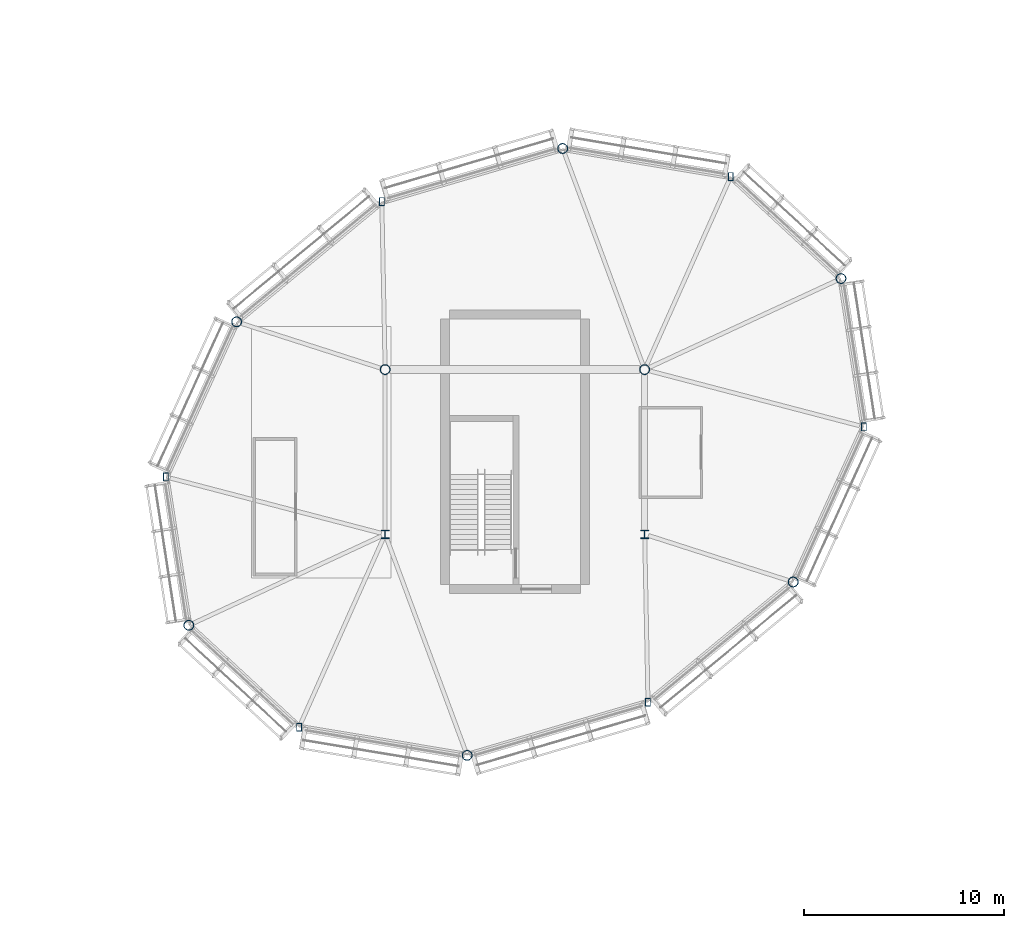
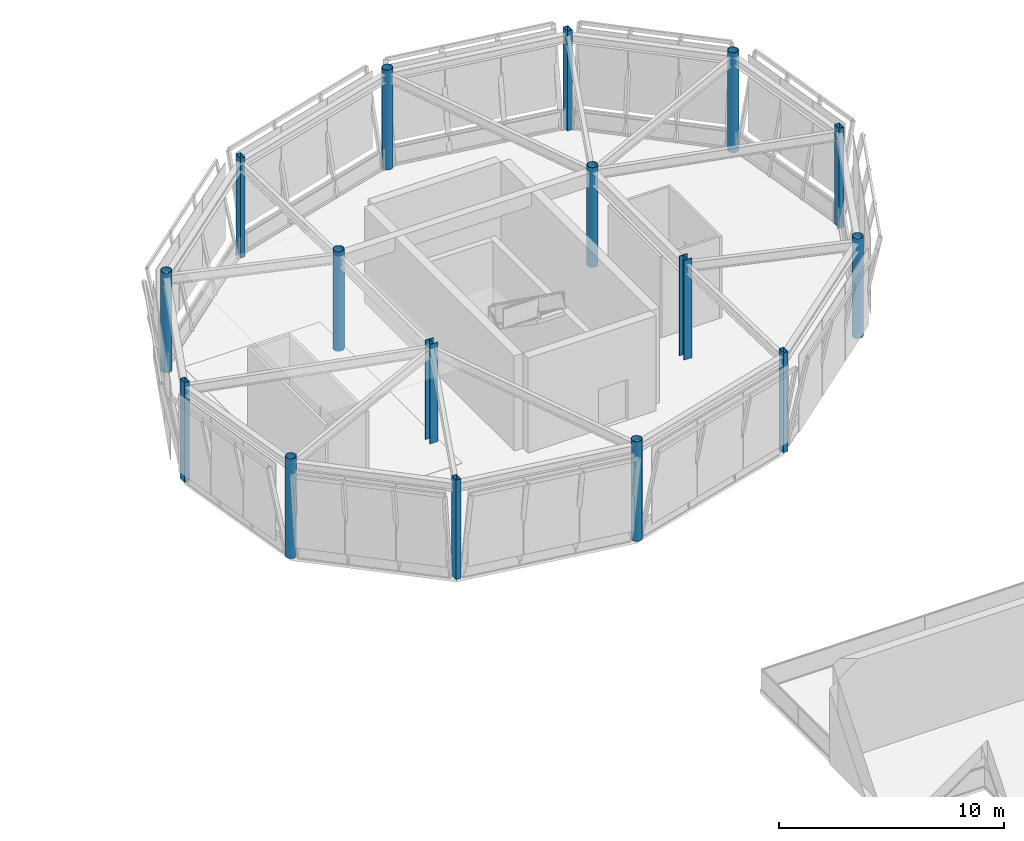
# One storey, part 11 of 90: 16 columns.
"""IFC4 building model written with IfcOpenShell, lengths in metres."""

import ifcopenshell
import ifcopenshell.guid

model = None  # the IFC model being written
_history = None  # IfcOwnerHistory: only IFC2X3 demands one
_inside = {}  # id of a spatial element -> (the spatial element, [elements in it])
_under = {}  # id of a project, library or spatial element -> (it, [spatial elements below it])
_declared = {}  # id of a project -> (the project, [libraries it declares])
_typed = {}  # id of a type object -> (the type object, [elements of that type])
_made_of = {}  # id of a material, layer set ... -> (it, [elements and type objects made of it])


def new_model(schema):
    """Start an empty IFC model of exactly this schema.

    Asked for "IFC4X3", IfcOpenShell would pick the latest addendum, in which some entities
    have other attributes; the version numbers below select the first issue.
    IFC2X3 requires an IfcOwnerHistory on every rooted entity: one is made here for all.
    """
    global model, _history
    if schema == "IFC4X3":
        model = ifcopenshell.file(schema_version=(4, 3, 0, 0))
    else:
        model = ifcopenshell.file(schema=schema)
    _inside.clear()
    _under.clear()
    _declared.clear()
    _typed.clear()
    _made_of.clear()
    _history = None
    if model.schema == "IFC2X3":
        org = make("IfcOrganization", Name="unknown")
        user = make(
            "IfcPersonAndOrganization",
            ThePerson=make("IfcPerson", FamilyName="unknown"),
            TheOrganization=org,
        )
        app = make(
            "IfcApplication",
            ApplicationDeveloper=org,
            Version="unknown",
            ApplicationFullName="unknown",
            ApplicationIdentifier="unknown",
        )
        _history = make(
            "IfcOwnerHistory",
            OwningUser=user,
            OwningApplication=app,
            ChangeAction="ADDED",
            CreationDate=0,
        )
    return model


def make(cls, **values):
    """One entity of the class cls with the attributes given. An attribute that is None is left unset."""
    return model.create_entity(
        cls, **{name: value for name, value in values.items() if value is not None}
    )


def rooted(cls, **values):
    """An entity with a GlobalId (a new one), such as an element, a storey or a relation."""
    return make(cls, GlobalId=ifcopenshell.guid.new(), OwnerHistory=_history, **values)


def si_unit(unit_type, name, prefix=None):
    """IfcSIUnit, for example si_unit("LENGTHUNIT", "METRE", prefix="MILLI")."""
    return make("IfcSIUnit", UnitType=unit_type, Prefix=prefix, Name=name)


def assignment(units):
    """IfcUnitAssignment: the units of a project."""
    return None if units is None else make("IfcUnitAssignment", Units=units)


def point(xyz):
    """IfcCartesianPoint."""
    return None if xyz is None else make("IfcCartesianPoint", Coordinates=xyz)


def direction(xyz):
    """IfcDirection."""
    return None if xyz is None else make("IfcDirection", DirectionRatios=xyz)


def frame(location, z_axis=None, x_axis=None):
    """IfcAxis2Placement3D, a coordinate frame: its origin and axes. An axis left out is left unset."""
    return make(
        "IfcAxis2Placement3D",
        Location=point(location),
        Axis=direction(z_axis),
        RefDirection=direction(x_axis),
    )


def frame_2d(location, x_axis=None):
    """IfcAxis2Placement2D, a coordinate frame in the plane: its origin and x axis."""
    return make(
        "IfcAxis2Placement2D", Location=point(location), RefDirection=direction(x_axis)
    )


def origin():
    """The frame at (0, 0, 0) with its axes left unset."""
    return frame((0.0, 0.0, 0.0))


def origin_2d():
    """The frame at (0, 0) in the plane with its x axis left unset."""
    return frame_2d((0.0, 0.0))


def place(relative_to, where):
    """IfcLocalPlacement: puts the frame where relative to a parent placement (None: the world)."""
    return make(
        "IfcLocalPlacement", PlacementRelTo=relative_to, RelativePlacement=where
    )


def context(
    kind, dimensions, precision=None, world=None, true_north=None, identifier=None
):
    """IfcGeometricRepresentationContext, for example the 3D "Model" context."""
    return make(
        "IfcGeometricRepresentationContext",
        ContextIdentifier=identifier,
        ContextType=kind,
        CoordinateSpaceDimension=dimensions,
        Precision=precision,
        WorldCoordinateSystem=world,
        TrueNorth=true_north,
    )


def subcontext(parent, identifier, kind, view, scale=None):
    """IfcGeometricRepresentationSubContext, for example "Body" below "Model"."""
    return make(
        "IfcGeometricRepresentationSubContext",
        ContextIdentifier=identifier,
        ContextType=kind,
        ParentContext=parent,
        TargetScale=scale,
        TargetView=view,
    )


def project(units=None, contexts=None):
    """IfcProject with its units and contexts."""
    return rooted(
        "IfcProject",
        Name="project",
        RepresentationContexts=contexts,
        UnitsInContext=assignment(units),
    )


def spatial(cls, under=None, at=None, **own):
    """A site, building, storey or space (cls), placed at a placement, below another one or the project."""
    s = rooted(cls, ObjectPlacement=at, **own)
    if under is not None:
        _under.setdefault(under.id(), (under, []))[1].append(s)
    return s


def profile(cls, at=None, kind="AREA", **sizes):
    """A parametric profile (cls). Its sizes go by their IFC names, for example OverallWidth=200.0."""
    return make(cls, ProfileType=kind, Position=at, **sizes)


def hollow_rectangle(**sizes):
    """IfcRectangleHollowProfileDef."""
    return profile("IfcRectangleHollowProfileDef", **sizes)


def hollow_circle(**sizes):
    """IfcCircleHollowProfileDef."""
    return profile("IfcCircleHollowProfileDef", **sizes)


def i_section(**sizes):
    """IfcIShapeProfileDef."""
    return profile("IfcIShapeProfileDef", **sizes)


def extrude(swept, where, along, depth):
    """IfcExtrudedAreaSolid: the profile swept, set in the frame where, extruded along a direction by depth."""
    return make(
        "IfcExtrudedAreaSolid",
        SweptArea=swept,
        Position=where,
        ExtrudedDirection=direction(along),
        Depth=depth,
    )


def shape(context_of_items, identifier, shape_type, items):
    """IfcShapeRepresentation: the items that make up one representation, for example the "Body"."""
    return make(
        "IfcShapeRepresentation",
        ContextOfItems=context_of_items,
        RepresentationIdentifier=identifier,
        RepresentationType=shape_type,
        Items=items,
    )


def material(Name=None, Category=None):
    """IfcMaterial."""
    return make("IfcMaterial", Name=Name, Category=Category)


def material_profile(
    of_material, cross_section, Name=None, Category=None, Priority=None
):
    """IfcMaterialProfile: a cross section and its material."""
    return make(
        "IfcMaterialProfile",
        Name=Name,
        Material=of_material,
        Profile=cross_section,
        Priority=Priority,
        Category=Category,
    )


def profile_set(profiles, Name=None, composite=None):
    """IfcMaterialProfileSet."""
    return make(
        "IfcMaterialProfileSet",
        Name=Name,
        MaterialProfiles=profiles,
        CompositeProfile=composite,
    )


def made_of(thing, what):
    """Note that an element or type object is made of a material, layer set ...; save() writes the relation."""
    if what is not None:
        _made_of.setdefault(what.id(), (what, []))[1].append(thing)
    return thing


def type_object(cls, material=None, **own):
    """A type object (cls), such as IfcWallType, which elements share."""
    return made_of(rooted(cls, **own), material)


def element(
    cls,
    number,
    at=None,
    inside=None,
    cuts=None,
    type_object=None,
    material=None,
    context=None,
    identifier="Body",
    shape_type=None,
    held_by="IfcProductDefinitionShape",
    body=None,
    shapes=None,
    **own,
):
    """One element of the class cls, such as IfcWall. Its Tag is "e" and its number.

    at: its placement. inside: the storey or other place that contains it. cuts: it is an
    opening in that element (IfcRelVoidsElement). A single representation is given by context,
    identifier, shape_type and body (its items); several are given by shapes. held_by: the class
    of the entity that holds the representations. save() writes the other relations.
    """
    e = rooted(cls, Tag="e%d" % number, ObjectPlacement=at, **own)
    if body is not None:
        shapes = [shape(context, identifier, shape_type, body)]
    if shapes is not None:
        e.Representation = make(held_by, Representations=shapes)
    if inside is not None:
        _inside.setdefault(inside.id(), (inside, []))[1].append(e)
    if cuts is not None:
        rooted(
            "IfcRelVoidsElement", RelatingBuildingElement=cuts, RelatedOpeningElement=e
        )
    if type_object is not None:
        _typed.setdefault(type_object.id(), (type_object, []))[1].append(e)
    return made_of(e, material)


def aggregate(whole, parts):
    """IfcRelAggregates: a whole, such as a stair, and the parts it consists of."""
    return rooted("IfcRelAggregates", RelatingObject=whole, RelatedObjects=parts)


def save(model, path):
    """Write the relations noted so far, then the file.

    IfcRelAggregates (storeys below a building ...), IfcRelContainedInSpatialStructure (elements
    in a storey), IfcRelDefinesByType, IfcRelAssociatesMaterial and IfcRelDeclares: one each for
    every whole, place, type object, material and project.
    """
    for whole, parts in _under.values():
        aggregate(whole, parts)
    for where, things in _inside.values():
        rooted(
            "IfcRelContainedInSpatialStructure",
            RelatedElements=things,
            RelatingStructure=where,
        )
    for kind, things in _typed.values():
        rooted("IfcRelDefinesByType", RelatedObjects=things, RelatingType=kind)
    for what, things in _made_of.values():
        rooted("IfcRelAssociatesMaterial", RelatedObjects=things, RelatingMaterial=what)
    for by, libraries in _declared.values():
        rooted("IfcRelDeclares", RelatingContext=by, RelatedDefinitions=libraries)
    model.write(path)


model = new_model("IFC4")

# Units and contexts
model_context = context("Model", 3, precision=1e-05, world=origin(), true_north=direction((0.0, 1.0)))
body_context = subcontext(model_context, "Body", "Model", "MODEL_VIEW")
ifc_project = project(units=[si_unit("LENGTHUNIT", "METRE"), si_unit("AREAUNIT", "SQUARE_METRE"), si_unit("VOLUMEUNIT", "CUBIC_METRE"), si_unit("PLANEANGLEUNIT", "RADIAN"), si_unit("MASSUNIT", "GRAM", prefix="KILO")], contexts=[model_context])

# Site, building, storey
site_placement = place(None, origin())
site = spatial("IfcSite", under=ifc_project, at=site_placement, CompositionType="ELEMENT")
building_placement = place(site_placement, origin())
building = spatial("IfcBuilding", under=site, at=building_placement, Name="Linyun Crest Stadium", CompositionType="ELEMENT")
storey_placement = place(building_placement, frame((0.0, 0.0, 21.0)))
storey = spatial("IfcBuildingStorey", under=building, at=storey_placement, Name="L05", CompositionType="ELEMENT", Elevation=21.0)

# Columns
ifc_material_1 = material(Name="Steel Q355C", Category="steel")
ifc_material_profile_1 = material_profile(ifc_material_1, i_section(OverallWidth=0.406982421875, OverallDepth=0.427978515625, WebThickness=0.02001953125, FlangeThickness=0.034912109375, at=origin_2d()), Name="HW 428x407")
ifc_profile_set_1 = profile_set([ifc_material_profile_1], Name="Steel Q355C")
column_type_1 = type_object("IfcColumnType", Name="SC03", PredefinedType="COLUMN", material=ifc_profile_set_1)
for number, where, z_axis, x_axis, name in (
    (1, (67.0, 80.5, 0.0), (0.0, 0.0, 1.0), (1.0, 0.0, 0.0), "Column SC03 L05 827"),
    (2, (80.0, 80.5, 0.0), (0.0, 0.0, 1.0), (1.0, 0.0, 0.0), "Column SC03 L05 834"),
):
    element("IfcColumn", number, at=place(storey_placement, frame(where, z_axis=z_axis, x_axis=x_axis)), inside=storey, type_object=column_type_1, Name=name, PredefinedType="COLUMN", context=body_context, shape_type="SweptSolid", body=[
        extrude(i_section(OverallWidth=0.406982421875, OverallDepth=0.427978515625, WebThickness=0.02001953125, FlangeThickness=0.034912109375, at=origin_2d()), origin(), (0.0, 0.0, 1.0), 5.39794921875),
    ])
ifc_material_2 = material(Name="Steel Q355C", Category="steel")
ifc_material_profile_2 = material_profile(ifc_material_2, hollow_circle(Radius=0.25390625, WallThickness=0.02490234375, at=origin_2d()), Name="CHS 508x25")
ifc_profile_set_2 = profile_set([ifc_material_profile_2], Name="Steel Q355C")
column_type_2 = type_object("IfcColumnType", Name="SC05", PredefinedType="COLUMN", material=ifc_profile_set_2)
for number, where, z_axis, x_axis, name in (
    (3, (67.0, 88.75, 0.0), (0.0, 0.0, 1.0), (1.0, 0.0, 0.0), "Column SC05 L05 841"),
    (4, (80.0, 88.75, 0.0), (0.0, 0.0, 1.0), (1.0, 0.0, 0.0), "Column SC05 L05 848"),
    (5, (89.8349609375, 93.31005859375, 0.0), (0.0, 0.0, 1.0), (1.0, 0.0, 0.0), "Pod perimeter column SC05 L05 996"),
    (6, (75.89404296875, 99.825927734375, 0.0), (0.0, 0.0, 1.0), (1.0, 0.0, 0.0), "Pod perimeter column SC05 L05 1004"),
    (7, (59.55908203125, 91.139892578125, 0.0), (0.0, 0.0, 1.0), (1.0, 0.0, 0.0), "Pod perimeter column SC05 L05 1012"),
    (8, (57.1650390625, 75.93994140625, 0.0), (0.0, 0.0, 1.0), (1.0, 0.0, 0.0), "Pod perimeter column SC05 L05 1020"),
    (9, (71.10595703125, 69.424072265625, 0.0), (0.0, 0.0, 1.0), (1.0, 0.0, 0.0), "Pod perimeter column SC05 L05 1028"),
    (10, (87.44091796875, 78.110107421875, 0.0), (0.0, 0.0, 1.0), (1.0, 0.0, 0.0), "Pod perimeter column SC05 L05 1036"),
):
    element("IfcColumn", number, at=place(storey_placement, frame(where, z_axis=z_axis, x_axis=x_axis)), inside=storey, type_object=column_type_2, Name=name, PredefinedType="COLUMN", context=body_context, shape_type="SweptSolid", body=[
        extrude(hollow_circle(Radius=0.25390625, WallThickness=0.02490234375, at=origin_2d()), origin(), (0.0, 0.0, 1.0), 5.39794921875),
    ])
ifc_material_3 = material(Name="Steel Q355C", Category="steel")
ifc_material_profile_3 = material_profile(ifc_material_3, hollow_rectangle(XDim=0.25, YDim=0.39990234375, WallThickness=0.01611328125, at=origin_2d()), Name="RHS 400x250x16")
ifc_profile_set_3 = profile_set([ifc_material_profile_3], Name="Steel Q355C")
column_type_3 = type_object("IfcColumnType", Name="SC06", PredefinedType="COLUMN", material=ifc_profile_set_3)
for number, where, z_axis, x_axis, name in (
    (11, (84.31298828125, 98.416015625, 0.0), (0.0, 0.0, 1.0), (1.0, 0.0, 0.0), "Pod perimeter column SC06 L05 1000"),
    (12, (66.833984375, 97.1630859375, 0.0), (0.0, 0.0, 1.0), (1.0, 0.0, 0.0), "Pod perimeter column SC06 L05 1008"),
    (13, (56.02099609375, 83.3720703125, 0.0), (0.0, 0.0, 1.0), (1.0, 0.0, 0.0), "Pod perimeter column SC06 L05 1016"),
    (14, (62.68701171875, 70.833984375, 0.0), (0.0, 0.0, 1.0), (1.0, 0.0, 0.0), "Pod perimeter column SC06 L05 1024"),
    (15, (80.166015625, 72.0869140625, 0.0), (0.0, 0.0, 1.0), (1.0, 0.0, 0.0), "Pod perimeter column SC06 L05 1032"),
    (16, (90.97900390625, 85.8779296875, 0.0), (0.0, 0.0, 1.0), (1.0, 0.0, 0.0), "Pod perimeter column SC06 L05 1040"),
):
    element("IfcColumn", number, at=place(storey_placement, frame(where, z_axis=z_axis, x_axis=x_axis)), inside=storey, type_object=column_type_3, Name=name, PredefinedType="COLUMN", context=body_context, shape_type="SweptSolid", body=[
        extrude(hollow_rectangle(XDim=0.25, YDim=0.39990234375, WallThickness=0.01611328125, at=origin_2d()), origin(), (0.0, 0.0, 1.0), 5.39794921875),
    ])

save(model, "model.ifc")
